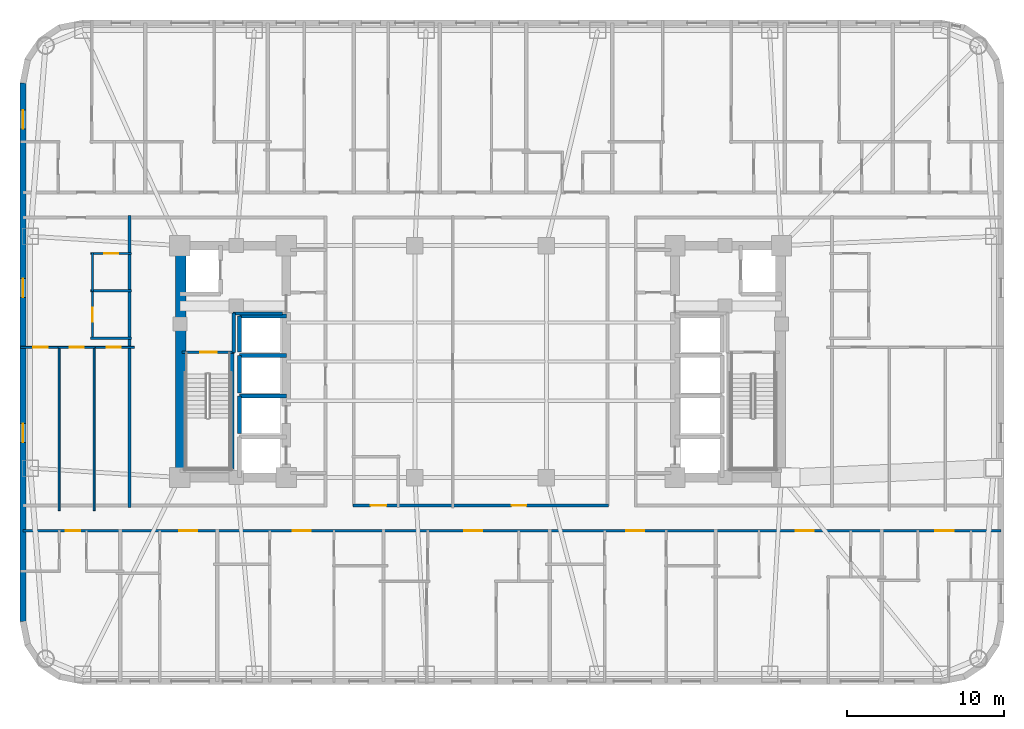
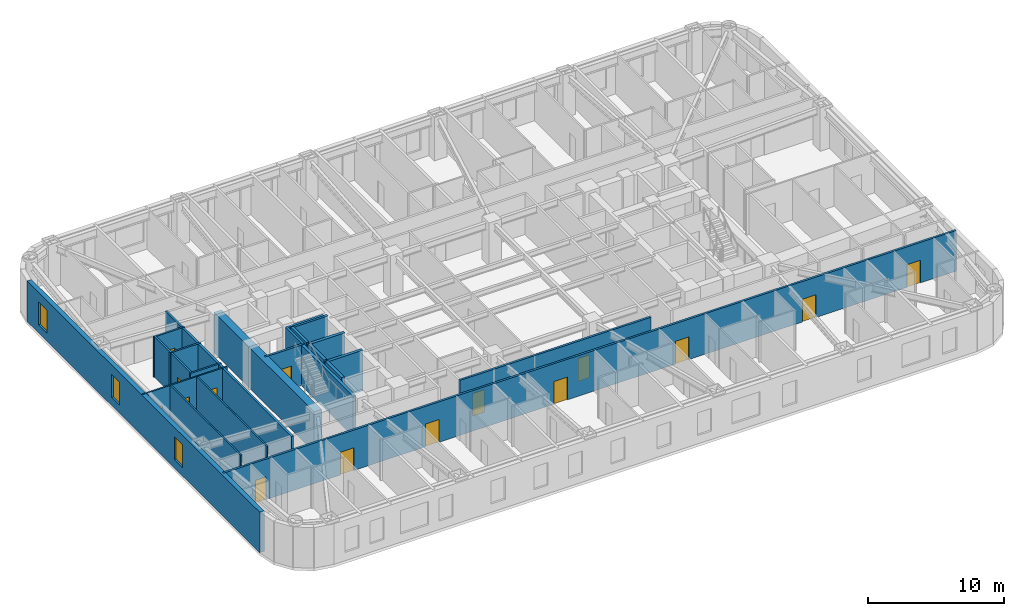
# One storey, part 4 of 12: 25 walls, 15 doors, 3 windows, 18 openings.
"""IFC4 building model written with IfcOpenShell, lengths in metres."""

from ifc_helpers import new_model, si_unit, direction, frame, frame_2d, origin, place, context, subcontext, project, spatial, rectangle, extrude, material, layer, layer_set, type_object, element, fill, save


model = new_model("IFC4")

# Units and contexts
model_context = context("Model", 3, precision=1e-05, world=origin(), true_north=direction((0.0, 1.0)))
body_context = subcontext(model_context, "Body", "Model", "MODEL_VIEW")
ifc_project = project(units=[si_unit("LENGTHUNIT", "METRE"), si_unit("AREAUNIT", "SQUARE_METRE"), si_unit("VOLUMEUNIT", "CUBIC_METRE"), si_unit("PLANEANGLEUNIT", "RADIAN"), si_unit("MASSUNIT", "GRAM", prefix="KILO")], contexts=[model_context])

# Site, building, storey
site_placement = place(None, origin())
site = spatial("IfcSite", under=ifc_project, at=site_placement, CompositionType="ELEMENT")
building_placement = place(site_placement, origin())
building = spatial("IfcBuilding", under=site, at=building_placement, Name="Voryun Gate Residences", CompositionType="ELEMENT")
storey_placement = place(building_placement, frame((0.0, 0.0, 132.60009765625)))
storey = spatial("IfcBuildingStorey", under=building, at=storey_placement, Name="L32", CompositionType="ELEMENT", Elevation=132.60009765625)

# Wall
ifc_material_1 = material(Name="Concrete C60/75", Category="concrete")
ifc_layer_1 = layer(ifc_material_1, 0.64990234375, Name="CW_CORE_650")
ifc_layer_set_1 = layer_set([ifc_layer_1], Name="Concrete C60/75")
wall_type_1 = type_object("IfcWallType", Name="CW_CORE_650", PredefinedType="SHEAR", material=ifc_layer_set_1)
wall_1_placement = place(storey_placement, frame((-19.14501953125, -7.39990234375, 0.0), z_axis=(0.0, 0.0, 1.0), x_axis=(0.0, 1.0, 0.0)))
element("IfcWall", 1, at=wall_1_placement, inside=storey, type_object=wall_type_1, Name="L32 Core shear wall CW-L32-WW", PredefinedType="SHEAR", context=body_context, shape_type="SweptSolid", body=[
    extrude(rectangle(XDim=14.7998046875, YDim=0.64990234375, at=frame_2d((7.39990234375, 0.0))), origin(), (0.0, 0.0, 1.0), 3.64990234375),
])

# Wall, opening, door
ifc_material_2 = material(Name="Gypsum acoustic fireboard")
ifc_layer_2 = layer(ifc_material_2, 0.179931640625, Name="W_CORR_RATED_180")
ifc_layer_set_2 = layer_set([ifc_layer_2], Name="Gypsum acoustic fireboard")
wall_type_2 = type_object("IfcWallType", Name="W_CORR_RATED_180", PredefinedType="PARTITIONING", material=ifc_layer_set_2)
wall_2_placement = place(storey_placement, frame((-19.06005859375, 0.60009765625, 0.0), z_axis=(0.0, 0.0, 1.0), x_axis=(1.0, 0.0, 0.0)))
wall_2 = element("IfcWall", 2, at=wall_2_placement, inside=storey, type_object=wall_type_2, Name="Partition wall WP-L32-STV-W", PredefinedType="PARTITIONING", context=body_context, shape_type="SweptSolid", body=[
    extrude(rectangle(XDim=3.360107421875, YDim=0.179931640625, at=frame_2d((1.68017578125, 0.0))), origin(), (0.0, 0.0, 1.0), 3.64990234375),
])
opening_1_placement = place(wall_2_placement, frame((1.155029296875, 0.0, 0.0)))
opening_1 = element("IfcOpeningElement", 3, at=opening_1_placement, cuts=wall_2, Name="Opening D-FD60-1", PredefinedType="OPENING", context=body_context, shape_type="SweptSolid", body=[
    extrude(rectangle(XDim=1.050048828125, YDim=2.050048828125, at=frame_2d((0.52490234375, 1.02490234375))), frame((0.0, 0.099853515625, 0.0), z_axis=(0.0, -1.0, 0.0), x_axis=(1.0, 0.0, 0.0)), (0.0, 0.0, 1.0), 0.199951171875),
])
ifc_material_3 = material(Name="Painted steel fire door", Category="steel")
door_type_1 = type_object("IfcDoorType", Name="DR_FD60_STAIR_1050", OperationType="NOTDEFINED", PredefinedType="DOOR", material=ifc_material_3)
door_1_placement = place(opening_1_placement, origin())
door_1 = element("IfcDoor", 4, at=door_1_placement, inside=storey, type_object=door_type_1, Name="Door DR-L32-ST-W", OperationType="SINGLE_SWING_LEFT", OverallHeight=2.050048828125, OverallWidth=1.050048828125, PredefinedType="DOOR", context=body_context, shape_type="SweptSolid", body=[
    extrude(rectangle(XDim=1.050048828125, YDim=2.050048828125, at=frame_2d((0.52490234375, 1.02490234375))), frame((0.0, 0.02490234375, 0.0), z_axis=(0.0, -1.0, 0.0), x_axis=(1.0, 0.0, 0.0)), (0.0, 0.0, 1.0), 0.050048828125),
])
fill(opening_1, door_1)

# Wall, openings, doors
wall_3_placement = place(storey_placement, frame((-8.14990234375, -9.18994140625, 0.0), z_axis=(0.0, 0.0, 1.0), x_axis=(1.0, 0.0, 0.0)))
wall_3 = element("IfcWall", 5, at=wall_3_placement, inside=storey, type_object=wall_type_2, Name="Partition wall WP-L32-Z1S", PredefinedType="PARTITIONING", context=body_context, shape_type="SweptSolid", body=[
    extrude(rectangle(XDim=16.2998046875, YDim=0.179931640625, at=frame_2d((8.14990234375, 0.0))), origin(), (0.0, 0.0, 1.0), 3.64990234375),
])
opening_2_placement = place(wall_3_placement, frame((1.1298828125, 0.0, 0.0)))
opening_2 = element("IfcOpeningElement", 6, at=opening_2_placement, cuts=wall_3, Name="Opening D-AWC-1", PredefinedType="OPENING", context=body_context, shape_type="SweptSolid", body=[
    extrude(rectangle(XDim=1.0, YDim=2.050048828125, at=frame_2d((0.5, 1.02490234375))), frame((0.0, 0.099853515625, 0.0), z_axis=(0.0, -1.0, 0.0), x_axis=(1.0, 0.0, 0.0)), (0.0, 0.0, 1.0), 0.199951171875),
])
opening_3_placement = place(wall_3_placement, frame((10.1201171875, 0.0, 0.0)))
opening_3 = element("IfcOpeningElement", 7, at=opening_3_placement, cuts=wall_3, Name="Opening D-INT-1", PredefinedType="OPENING", context=body_context, shape_type="SweptSolid", body=[
    extrude(rectangle(XDim=0.949951171875, YDim=2.050048828125, at=frame_2d((0.47509765625, 1.02490234375))), frame((0.0, 0.099853515625, 0.0), z_axis=(0.0, -1.0, 0.0), x_axis=(1.0, 0.0, 0.0)), (0.0, 0.0, 1.0), 0.199951171875),
])
ifc_material_4 = material(Name="Architectural oak veneer")
door_type_2 = type_object("IfcDoorType", Name="DR_ACC_WC_1000", OperationType="NOTDEFINED", PredefinedType="DOOR", material=ifc_material_4)
door_2_placement = place(opening_2_placement, origin())
door_2 = element("IfcDoor", 8, at=door_2_placement, inside=storey, type_object=door_type_2, Name="Door DR-L32-CMWC-D", OperationType="SINGLE_SWING_LEFT", OverallHeight=2.050048828125, OverallWidth=1.0, PredefinedType="DOOR", context=body_context, shape_type="SweptSolid", body=[
    extrude(rectangle(XDim=1.0, YDim=2.050048828125, at=frame_2d((0.5, 1.02490234375))), frame((0.0, 0.02490234375, 0.0), z_axis=(0.0, -1.0, 0.0), x_axis=(1.0, 0.0, 0.0)), (0.0, 0.0, 1.0), 0.050048828125),
])
fill(opening_2, door_2)
ifc_material_5 = material(Name="Architectural oak veneer")
door_type_3 = type_object("IfcDoorType", Name="DR_INT_ROOM_950", OperationType="NOTDEFINED", PredefinedType="DOOR", material=ifc_material_5)
door_3_placement = place(opening_3_placement, origin())
door_3 = element("IfcDoor", 9, at=door_3_placement, inside=storey, type_object=door_type_3, Name="Door DR-L32-CMIDZ1S", OperationType="SINGLE_SWING_RIGHT", OverallHeight=2.050048828125, OverallWidth=0.949951171875, PredefinedType="DOOR", context=body_context, shape_type="SweptSolid", body=[
    extrude(rectangle(XDim=0.949951171875, YDim=2.050048828125, at=frame_2d((0.47509765625, 1.02490234375))), frame((0.0, 0.02490234375, 0.0), z_axis=(0.0, -1.0, 0.0), x_axis=(1.0, 0.0, 0.0)), (0.0, 0.0, 1.0), 0.050048828125),
])
fill(opening_3, door_3)

wall_4_placement = place(storey_placement, frame((-29.2099609375, -10.800048828125, 0.0), z_axis=(0.0, 0.0, 1.0), x_axis=(1.0, 0.0, 0.0)))
wall_4 = element("IfcWall", 10, at=wall_4_placement, inside=storey, type_object=wall_type_2, Name="Partition wall WP-L32-SCORR", PredefinedType="PARTITIONING", context=body_context, shape_type="SweptSolid", body=[
    extrude(rectangle(XDim=62.419921875, YDim=0.179931640625, at=frame_2d((31.2099609375, 0.0))), origin(), (0.0, 0.0, 1.0), 3.64990234375),
])
opening_4_placement = place(wall_4_placement, frame((2.73974609375, 0.0, 0.0)))
opening_4 = element("IfcOpeningElement", 11, at=opening_4_placement, cuts=wall_4, Name="Opening D-INT-2", PredefinedType="OPENING", context=body_context, shape_type="SweptSolid", body=[
    extrude(rectangle(XDim=0.89990234375, YDim=2.050048828125, at=frame_2d((0.449951171875, 1.02490234375))), frame((0.0, 0.099853515625, 0.0), z_axis=(0.0, -1.0, 0.0), x_axis=(1.0, 0.0, 0.0)), (0.0, 0.0, 1.0), 0.199951171875),
])
opening_5_placement = place(wall_4_placement, frame((9.9677734375, 0.0, 0.0)))
opening_5 = element("IfcOpeningElement", 12, at=opening_5_placement, cuts=wall_4, Name="Opening D-UNIT-1", PredefinedType="OPENING", context=body_context, shape_type="SweptSolid", body=[
    extrude(rectangle(XDim=1.14990234375, YDim=2.050048828125, at=frame_2d((0.574951171875, 1.02490234375))), frame((0.0, 0.099853515625, 0.0), z_axis=(0.0, -1.0, 0.0), x_axis=(1.0, 0.0, 0.0)), (0.0, 0.0, 1.0), 0.199951171875),
])
opening_6_placement = place(wall_4_placement, frame((17.227294921875, 0.0, 0.0)))
opening_6 = element("IfcOpeningElement", 13, at=opening_6_placement, cuts=wall_4, Name="Opening D-UNIT-1", PredefinedType="OPENING", context=body_context, shape_type="SweptSolid", body=[
    extrude(rectangle(XDim=1.14990234375, YDim=2.050048828125, at=frame_2d((0.574951171875, 1.02490234375))), frame((0.0, 0.099853515625, 0.0), z_axis=(0.0, -1.0, 0.0), x_axis=(1.0, 0.0, 0.0)), (0.0, 0.0, 1.0), 0.199951171875),
])
opening_7_placement = place(wall_4_placement, frame((28.156982421875, 0.0, 0.0)))
opening_7 = element("IfcOpeningElement", 14, at=opening_7_placement, cuts=wall_4, Name="Opening D-UNIT-1", PredefinedType="OPENING", context=body_context, shape_type="SweptSolid", body=[
    extrude(rectangle(XDim=1.14990234375, YDim=2.050048828125, at=frame_2d((0.574951171875, 1.02490234375))), frame((0.0, 0.099853515625, 0.0), z_axis=(0.0, -1.0, 0.0), x_axis=(1.0, 0.0, 0.0)), (0.0, 0.0, 1.0), 0.199951171875),
])
opening_8_placement = place(wall_4_placement, frame((38.512451171875, 0.0, 0.0)))
opening_8 = element("IfcOpeningElement", 15, at=opening_8_placement, cuts=wall_4, Name="Opening D-UNIT-1", PredefinedType="OPENING", context=body_context, shape_type="SweptSolid", body=[
    extrude(rectangle(XDim=1.14990234375, YDim=2.050048828125, at=frame_2d((0.574951171875, 1.02490234375))), frame((0.0, 0.099853515625, 0.0), z_axis=(0.0, -1.0, 0.0), x_axis=(1.0, 0.0, 0.0)), (0.0, 0.0, 1.0), 0.199951171875),
])
opening_9_placement = place(wall_4_placement, frame((49.329833984375, 0.0, 0.0)))
opening_9 = element("IfcOpeningElement", 16, at=opening_9_placement, cuts=wall_4, Name="Opening D-UNIT-1", PredefinedType="OPENING", context=body_context, shape_type="SweptSolid", body=[
    extrude(rectangle(XDim=1.14990234375, YDim=2.050048828125, at=frame_2d((0.574951171875, 1.02490234375))), frame((0.0, 0.099853515625, 0.0), z_axis=(0.0, -1.0, 0.0), x_axis=(1.0, 0.0, 0.0)), (0.0, 0.0, 1.0), 0.199951171875),
])
opening_10_placement = place(wall_4_placement, frame((58.237060546875, 0.0, 0.0)))
opening_10 = element("IfcOpeningElement", 17, at=opening_10_placement, cuts=wall_4, Name="Opening D-UNIT-1", PredefinedType="OPENING", context=body_context, shape_type="SweptSolid", body=[
    extrude(rectangle(XDim=1.14990234375, YDim=2.050048828125, at=frame_2d((0.574951171875, 1.02490234375))), frame((0.0, 0.099853515625, 0.0), z_axis=(0.0, -1.0, 0.0), x_axis=(1.0, 0.0, 0.0)), (0.0, 0.0, 1.0), 0.199951171875),
])
ifc_material_6 = material(Name="Architectural oak veneer")
door_type_4 = type_object("IfcDoorType", Name="DR_INT_BATH_900", OperationType="NOTDEFINED", PredefinedType="DOOR", material=ifc_material_6)
door_4_placement = place(opening_4_placement, origin())
door_4 = element("IfcDoor", 18, at=door_4_placement, inside=storey, type_object=door_type_4, Name="Door DR-L32-SENT-1", OperationType="SINGLE_SWING_RIGHT", OverallHeight=2.050048828125, OverallWidth=0.89990234375, PredefinedType="DOOR", context=body_context, shape_type="SweptSolid", body=[
    extrude(rectangle(XDim=0.89990234375, YDim=2.050048828125, at=frame_2d((0.449951171875, 1.02490234375))), frame((0.0, 0.02490234375, 0.0), z_axis=(0.0, -1.0, 0.0), x_axis=(1.0, 0.0, 0.0)), (0.0, 0.0, 1.0), 0.050048828125),
])
fill(opening_4, door_4)
ifc_material_7 = material(Name="Armoured timber-clad fire door", Category="wood")
door_type_5 = type_object("IfcDoorType", Name="DR_UNIT_ENTRY_1150", OperationType="NOTDEFINED", PredefinedType="DOOR", material=ifc_material_7)
door_5_placement = place(opening_5_placement, origin())
door_5 = element("IfcDoor", 19, at=door_5_placement, inside=storey, type_object=door_type_5, Name="Door DR-L32-SENT-2", OperationType="SINGLE_SWING_LEFT", OverallHeight=2.050048828125, OverallWidth=1.14990234375, PredefinedType="DOOR", context=body_context, shape_type="SweptSolid", body=[
    extrude(rectangle(XDim=1.14990234375, YDim=2.050048828125, at=frame_2d((0.574951171875, 1.02490234375))), frame((0.0, 0.02490234375, 0.0), z_axis=(0.0, -1.0, 0.0), x_axis=(1.0, 0.0, 0.0)), (0.0, 0.0, 1.0), 0.050048828125),
])
fill(opening_5, door_5)
door_6_placement = place(opening_6_placement, origin())
door_6 = element("IfcDoor", 20, at=door_6_placement, inside=storey, type_object=door_type_5, Name="Door DR-L32-SENT-3", OperationType="SINGLE_SWING_RIGHT", OverallHeight=2.050048828125, OverallWidth=1.14990234375, PredefinedType="DOOR", context=body_context, shape_type="SweptSolid", body=[
    extrude(rectangle(XDim=1.14990234375, YDim=2.050048828125, at=frame_2d((0.574951171875, 1.02490234375))), frame((0.0, 0.02490234375, 0.0), z_axis=(0.0, -1.0, 0.0), x_axis=(1.0, 0.0, 0.0)), (0.0, 0.0, 1.0), 0.050048828125),
])
fill(opening_6, door_6)
door_7_placement = place(opening_7_placement, origin())
door_7 = element("IfcDoor", 21, at=door_7_placement, inside=storey, type_object=door_type_5, Name="Door DR-L32-SENT-4", OperationType="SINGLE_SWING_LEFT", OverallHeight=2.050048828125, OverallWidth=1.14990234375, PredefinedType="DOOR", context=body_context, shape_type="SweptSolid", body=[
    extrude(rectangle(XDim=1.14990234375, YDim=2.050048828125, at=frame_2d((0.574951171875, 1.02490234375))), frame((0.0, 0.02490234375, 0.0), z_axis=(0.0, -1.0, 0.0), x_axis=(1.0, 0.0, 0.0)), (0.0, 0.0, 1.0), 0.050048828125),
])
fill(opening_7, door_7)
door_8_placement = place(opening_8_placement, origin())
door_8 = element("IfcDoor", 22, at=door_8_placement, inside=storey, type_object=door_type_5, Name="Door DR-L32-SENT-5", OperationType="SINGLE_SWING_RIGHT", OverallHeight=2.050048828125, OverallWidth=1.14990234375, PredefinedType="DOOR", context=body_context, shape_type="SweptSolid", body=[
    extrude(rectangle(XDim=1.14990234375, YDim=2.050048828125, at=frame_2d((0.574951171875, 1.02490234375))), frame((0.0, 0.02490234375, 0.0), z_axis=(0.0, -1.0, 0.0), x_axis=(1.0, 0.0, 0.0)), (0.0, 0.0, 1.0), 0.050048828125),
])
fill(opening_8, door_8)
door_9_placement = place(opening_9_placement, origin())
door_9 = element("IfcDoor", 23, at=door_9_placement, inside=storey, type_object=door_type_5, Name="Door DR-L32-SENT-6", OperationType="SINGLE_SWING_LEFT", OverallHeight=2.050048828125, OverallWidth=1.14990234375, PredefinedType="DOOR", context=body_context, shape_type="SweptSolid", body=[
    extrude(rectangle(XDim=1.14990234375, YDim=2.050048828125, at=frame_2d((0.574951171875, 1.02490234375))), frame((0.0, 0.02490234375, 0.0), z_axis=(0.0, -1.0, 0.0), x_axis=(1.0, 0.0, 0.0)), (0.0, 0.0, 1.0), 0.050048828125),
])
fill(opening_9, door_9)
door_10_placement = place(opening_10_placement, origin())
door_10 = element("IfcDoor", 24, at=door_10_placement, inside=storey, type_object=door_type_5, Name="Door DR-L32-SENT-7", OperationType="SINGLE_SWING_RIGHT", OverallHeight=2.050048828125, OverallWidth=1.14990234375, PredefinedType="DOOR", context=body_context, shape_type="SweptSolid", body=[
    extrude(rectangle(XDim=1.14990234375, YDim=2.050048828125, at=frame_2d((0.574951171875, 1.02490234375))), frame((0.0, 0.02490234375, 0.0), z_axis=(0.0, -1.0, 0.0), x_axis=(1.0, 0.0, 0.0)), (0.0, 0.0, 1.0), 0.050048828125),
])
fill(opening_10, door_10)

# Wall
wall_5_placement = place(storey_placement, frame((-22.419921875, -9.31005859375, 0.0), z_axis=(0.0, 0.0, 1.0), x_axis=(0.0, 1.0, 0.0)))
element("IfcWall", 25, at=wall_5_placement, inside=storey, type_object=wall_type_2, Name="Partition wall WP-L32-WCOR", PredefinedType="PARTITIONING", context=body_context, shape_type="SweptSolid", body=[
    extrude(rectangle(XDim=18.6201171875, YDim=0.179931640625, at=frame_2d((9.31005859375, 0.0))), origin(), (0.0, 0.0, 1.0), 3.64990234375),
])

# Wall, openings, windows
ifc_material_8 = material(Name="Granite masonry", Category="masonry")
ifc_layer_3 = layer(ifc_material_8, 0.3798828125, Name="W_EXT_GRANITE_380")
ifc_layer_set_3 = layer_set([ifc_layer_3], Name="Granite masonry")
wall_type_3 = type_object("IfcWallType", Name="W_EXT_GRANITE_380", PredefinedType="ELEMENTEDWALL", material=ifc_layer_set_3)
wall_6_placement = place(storey_placement, frame((-29.2099609375, -16.581298828125, 0.0), z_axis=(0.0, 0.0, 1.0), x_axis=(0.0, 1.0, 0.0)))
wall_6 = element("IfcWall", 26, at=wall_6_placement, inside=storey, type_object=wall_type_3, Name="Exterior wall WEXT-L32-06", PredefinedType="ELEMENTEDWALL", context=body_context, shape_type="SweptSolid", body=[
    extrude(rectangle(XDim=34.362548828125, YDim=0.3798828125, at=frame_2d((17.18115234375, 0.0))), origin(), (0.0, 0.0, 1.0), 3.64990234375),
])
opening_11_placement = place(wall_6_placement, frame((31.43701171875, 0.0, 0.75)))
opening_11 = element("IfcOpeningElement", 27, at=opening_11_placement, cuts=wall_6, Name="Opening WN6", PredefinedType="OPENING", context=body_context, shape_type="SweptSolid", body=[
    extrude(rectangle(XDim=1.199951171875, YDim=2.050048828125, at=frame_2d((0.60009765625, 1.02490234375))), frame((0.0, 0.199951171875, 0.0), z_axis=(0.0, -1.0, 0.0), x_axis=(1.0, 0.0, 0.0)), (0.0, 0.0, 1.0), 0.39990234375),
])
opening_12_placement = place(wall_6_placement, frame((20.67626953125, 0.0, 0.75)))
opening_12 = element("IfcOpeningElement", 28, at=opening_12_placement, cuts=wall_6, Name="Opening WN6", PredefinedType="OPENING", context=body_context, shape_type="SweptSolid", body=[
    extrude(rectangle(XDim=1.199951171875, YDim=2.050048828125, at=frame_2d((0.60009765625, 1.02490234375))), frame((0.0, 0.199951171875, 0.0), z_axis=(0.0, -1.0, 0.0), x_axis=(1.0, 0.0, 0.0)), (0.0, 0.0, 1.0), 0.39990234375),
])
opening_13_placement = place(wall_6_placement, frame((11.42626953125, 0.0, 0.75)))
opening_13 = element("IfcOpeningElement", 29, at=opening_13_placement, cuts=wall_6, Name="Opening WN6", PredefinedType="OPENING", context=body_context, shape_type="SweptSolid", body=[
    extrude(rectangle(XDim=1.199951171875, YDim=2.050048828125, at=frame_2d((0.60009765625, 1.02490234375))), frame((0.0, 0.199951171875, 0.0), z_axis=(0.0, -1.0, 0.0), x_axis=(1.0, 0.0, 0.0)), (0.0, 0.0, 1.0), 0.39990234375),
])
ifc_material_9 = material(Name="Laminated low-E glass", Category="glass")
window_type = type_object("IfcWindowType", Name="WN_POD_SLOT_1200", PartitioningType="SINGLE_PANEL", PredefinedType="WINDOW", material=ifc_material_9)
window_1_placement = place(opening_11_placement, origin())
window_1 = element("IfcWindow", 30, at=window_1_placement, inside=storey, type_object=window_type, Name="Window WN-L32-DWFIX-01", OverallHeight=2.050048828125, OverallWidth=1.199951171875, PartitioningType="SINGLE_PANEL", PredefinedType="WINDOW", context=body_context, shape_type="SweptSolid", body=[
    extrude(rectangle(XDim=1.199951171875, YDim=2.050048828125, at=frame_2d((0.60009765625, 1.02490234375))), frame((0.0, 0.030029296875, 0.0), z_axis=(0.0, -1.0, 0.0), x_axis=(1.0, 0.0, 0.0)), (0.0, 0.0, 1.0), 0.06005859375),
])
fill(opening_11, window_1)
window_2_placement = place(opening_12_placement, origin())
window_2 = element("IfcWindow", 31, at=window_2_placement, inside=storey, type_object=window_type, Name="Window WN-L32-DWFIX-30", OverallHeight=2.050048828125, OverallWidth=1.199951171875, PartitioningType="SINGLE_PANEL", PredefinedType="WINDOW", context=body_context, shape_type="SweptSolid", body=[
    extrude(rectangle(XDim=1.199951171875, YDim=2.050048828125, at=frame_2d((0.60009765625, 1.02490234375))), frame((0.0, 0.030029296875, 0.0), z_axis=(0.0, -1.0, 0.0), x_axis=(1.0, 0.0, 0.0)), (0.0, 0.0, 1.0), 0.06005859375),
])
fill(opening_12, window_2)
window_3_placement = place(opening_13_placement, origin())
window_3 = element("IfcWindow", 32, at=window_3_placement, inside=storey, type_object=window_type, Name="Window WN-L32-DWFIX-31", OverallHeight=2.050048828125, OverallWidth=1.199951171875, PartitioningType="SINGLE_PANEL", PredefinedType="WINDOW", context=body_context, shape_type="SweptSolid", body=[
    extrude(rectangle(XDim=1.199951171875, YDim=2.050048828125, at=frame_2d((0.60009765625, 1.02490234375))), frame((0.0, 0.030029296875, 0.0), z_axis=(0.0, -1.0, 0.0), x_axis=(1.0, 0.0, 0.0)), (0.0, 0.0, 1.0), 0.06005859375),
])
fill(opening_13, window_3)

# Walls
ifc_material_10 = material(Name="Concrete C40/50", Category="concrete")
ifc_layer_4 = layer(ifc_material_10, 0.199951171875, Name="W_FF_LOBBY_200")
ifc_layer_set_4 = layer_set([ifc_layer_4], Name="Concrete C40/50")
wall_type_4 = type_object("IfcWallType", Name="W_FF_LOBBY_200", PredefinedType="PARTITIONING", material=ifc_layer_set_4)
wall_7_placement = place(storey_placement, frame((-15.760009765625, 0.580078125, 0.0), z_axis=(0.0, 0.0, 1.0), x_axis=(0.0, 1.0, 0.0)))
element("IfcWall", 33, at=wall_7_placement, inside=storey, type_object=wall_type_4, Name="Partition wall WP-L32-FFP0-W", PredefinedType="PARTITIONING", context=body_context, shape_type="SweptSolid", body=[
    extrude(rectangle(XDim=2.52001953125, YDim=0.199951171875, at=frame_2d((1.260009765625, 0.0))), origin(), (0.0, 0.0, 1.0), 3.64990234375),
])
wall_8_placement = place(storey_placement, frame((-15.820068359375, 3.06005859375, 0.0), z_axis=(0.0, 0.0, 1.0), x_axis=(1.0, 0.0, 0.0)))
element("IfcWall", 34, at=wall_8_placement, inside=storey, type_object=wall_type_4, Name="Partition wall WP-L32-FFPS-W", PredefinedType="PARTITIONING", context=body_context, shape_type="SweptSolid", body=[
    extrude(rectangle(XDim=3.16015625, YDim=0.199951171875, at=frame_2d((1.580078125, 0.0))), origin(), (0.0, 0.0, 1.0), 3.64990234375),
])
ifc_material_11 = material(Name="Concrete C50/60", Category="concrete")
ifc_layer_5 = layer(ifc_material_11, 0.25, Name="W_SHAFT_RC250")
ifc_layer_set_5 = layer_set([ifc_layer_5], Name="Concrete C50/60")
wall_type_5 = type_object("IfcWallType", Name="W_SHAFT_RC250", PredefinedType="SOLIDWALL", material=ifc_layer_set_5)
wall_9_placement = place(storey_placement, frame((-15.860107421875, -7.0849609375, 0.0), z_axis=(0.0, 0.0, 1.0), x_axis=(0.0, 1.0, 0.0)))
element("IfcWall", 35, at=wall_9_placement, inside=storey, type_object=wall_type_5, Name="L32 Stair shaft structural wall W-STR", PredefinedType="SOLIDWALL", context=body_context, shape_type="SweptSolid", body=[
    extrude(rectangle(XDim=7.68505859375, YDim=0.25, at=frame_2d((3.842529296875, 0.0))), origin(), (0.0, 0.0, 1.0), 3.64990234375),
])
wall_10_placement = place(storey_placement, frame((-12.39990234375, -2.199951171875, 0.0), z_axis=(0.0, 0.0, 1.0), x_axis=(-1.0, 0.0, 0.0)))
element("IfcWall", 36, at=wall_10_placement, inside=storey, type_object=wall_type_5, Name="Lift shaft wall WSH-L32-EL-P2-N", PredefinedType="SOLIDWALL", context=body_context, shape_type="SweptSolid", body=[
    extrude(rectangle(XDim=3.0, YDim=0.25, at=frame_2d((1.5, 0.0))), origin(), (0.0, 0.0, 1.0), 3.64990234375),
])
wall_11_placement = place(storey_placement, frame((-15.39990234375, -2.199951171875, 0.0), z_axis=(0.0, 0.0, 1.0), x_axis=(0.0, -1.0, 0.0)))
element("IfcWall", 37, at=wall_11_placement, inside=storey, type_object=wall_type_5, Name="Lift shaft wall WSH-L32-EL-P2-W", PredefinedType="SOLIDWALL", context=body_context, shape_type="SweptSolid", body=[
    extrude(rectangle(XDim=2.400146484375, YDim=0.25, at=frame_2d((1.2001953125, 0.0))), origin(), (0.0, 0.0, 1.0), 3.64990234375),
])
wall_12_placement = place(storey_placement, frame((-12.39990234375, 0.39990234375, 0.0), z_axis=(0.0, 0.0, 1.0), x_axis=(-1.0, 0.0, 0.0)))
element("IfcWall", 38, at=wall_12_placement, inside=storey, type_object=wall_type_5, Name="Lift shaft wall WSH-L32-EL-P4-N", PredefinedType="SOLIDWALL", context=body_context, shape_type="SweptSolid", body=[
    extrude(rectangle(XDim=3.0, YDim=0.25, at=frame_2d((1.5, 0.0))), origin(), (0.0, 0.0, 1.0), 3.64990234375),
])
wall_13_placement = place(storey_placement, frame((-15.39990234375, 0.39990234375, 0.0), z_axis=(0.0, 0.0, 1.0), x_axis=(0.0, -1.0, 0.0)))
element("IfcWall", 39, at=wall_13_placement, inside=storey, type_object=wall_type_5, Name="Lift shaft wall WSH-L32-EL-P4-W", PredefinedType="SOLIDWALL", context=body_context, shape_type="SweptSolid", body=[
    extrude(rectangle(XDim=2.39990234375, YDim=0.25, at=frame_2d((1.199951171875, 0.0))), origin(), (0.0, 0.0, 1.0), 3.64990234375),
])
wall_14_placement = place(storey_placement, frame((-12.39990234375, 2.89990234375, 0.0), z_axis=(0.0, 0.0, 1.0), x_axis=(-1.0, 0.0, 0.0)))
element("IfcWall", 40, at=wall_14_placement, inside=storey, type_object=wall_type_5, Name="Lift shaft wall WSH-L32-EL-P7-N", PredefinedType="SOLIDWALL", context=body_context, shape_type="SweptSolid", body=[
    extrude(rectangle(XDim=3.0, YDim=0.25, at=frame_2d((1.5, 0.0))), origin(), (0.0, 0.0, 1.0), 3.64990234375),
])
wall_15_placement = place(storey_placement, frame((-15.39990234375, 2.89990234375, 0.0), z_axis=(0.0, 0.0, 1.0), x_axis=(0.0, -1.0, 0.0)))
element("IfcWall", 41, at=wall_15_placement, inside=storey, type_object=wall_type_5, Name="Lift shaft wall WSH-L32-EL-P7-W", PredefinedType="SOLIDWALL", context=body_context, shape_type="SweptSolid", body=[
    extrude(rectangle(XDim=2.2998046875, YDim=0.25, at=frame_2d((1.14990234375, 0.0))), origin(), (0.0, 0.0, 1.0), 3.64990234375),
])

# Wall, opening, door
ifc_material_12 = material(Name="Gypsum acoustic partition")
ifc_layer_6 = layer(ifc_material_12, 0.125, Name="W_UNIT_PART_125")
ifc_layer_set_6 = layer_set([ifc_layer_6], Name="Gypsum acoustic partition")
wall_type_6 = type_object("IfcWallType", Name="W_UNIT_PART_125", PredefinedType="PARTITIONING", material=ifc_layer_set_6)
wall_16_placement = place(storey_placement, frame((-29.360107421875, 0.909912109375, 0.0), z_axis=(0.0, 0.0, 1.0), x_axis=(1.0, 0.0, 0.0)))
wall_16 = element("IfcWall", 42, at=wall_16_placement, inside=storey, type_object=wall_type_6, Name="Partition wall WP-L32-W1-HZMB1", PredefinedType="PARTITIONING", context=body_context, shape_type="SweptSolid", body=[
    extrude(rectangle(XDim=2.5166015625, YDim=0.125, at=frame_2d((1.25830078125, 0.0))), origin(), (0.0, 0.0, 1.0), 3.64990234375),
])
opening_14_placement = place(wall_16_placement, frame((0.81689453125, 0.0, 0.0)))
opening_14 = element("IfcOpeningElement", 43, at=opening_14_placement, cuts=wall_16, Name="Opening D-INT-2", PredefinedType="OPENING", context=body_context, shape_type="SweptSolid", body=[
    extrude(rectangle(XDim=0.89990234375, YDim=2.050048828125, at=frame_2d((0.449951171875, 1.02490234375))), frame((0.0, 0.072509765625, 0.0), z_axis=(0.0, -1.0, 0.0), x_axis=(1.0, 0.0, 0.0)), (0.0, 0.0, 1.0), 0.14501953125),
])
door_11_placement = place(opening_14_placement, origin())
door_11 = element("IfcDoor", 44, at=door_11_placement, inside=storey, type_object=door_type_4, Name="Door DR-L32-W1-DMB", OperationType="SINGLE_SWING_LEFT", OverallHeight=2.050048828125, OverallWidth=0.89990234375, PredefinedType="DOOR", context=body_context, shape_type="SweptSolid", body=[
    extrude(rectangle(XDim=0.89990234375, YDim=2.050048828125, at=frame_2d((0.449951171875, 1.02490234375))), frame((0.0, 0.02490234375, 0.0), z_axis=(0.0, -1.0, 0.0), x_axis=(1.0, 0.0, 0.0)), (0.0, 0.0, 1.0), 0.050048828125),
])
fill(opening_14, door_11)

wall_17_placement = place(storey_placement, frame((-26.968505859375, 0.909912109375, 0.0), z_axis=(0.0, 0.0, 1.0), x_axis=(1.0, 0.0, 0.0)))
wall_17 = element("IfcWall", 45, at=wall_17_placement, inside=storey, type_object=wall_type_6, Name="Partition wall WP-L32-W1-HZMB2", PredefinedType="PARTITIONING", context=body_context, shape_type="SweptSolid", body=[
    extrude(rectangle(XDim=2.367919921875, YDim=0.125, at=frame_2d((1.18408203125, 0.0))), origin(), (0.0, 0.0, 1.0), 3.64990234375),
])
opening_15_placement = place(wall_17_placement, frame((0.73388671875, 0.0, 0.0)))
opening_15 = element("IfcOpeningElement", 46, at=opening_15_placement, cuts=wall_17, Name="Opening D-INT-2", PredefinedType="OPENING", context=body_context, shape_type="SweptSolid", body=[
    extrude(rectangle(XDim=0.89990234375, YDim=2.050048828125, at=frame_2d((0.449951171875, 1.02490234375))), frame((0.0, 0.072509765625, 0.0), z_axis=(0.0, -1.0, 0.0), x_axis=(1.0, 0.0, 0.0)), (0.0, 0.0, 1.0), 0.14501953125),
])
door_12_placement = place(opening_15_placement, origin())
door_12 = element("IfcDoor", 47, at=door_12_placement, inside=storey, type_object=door_type_4, Name="Door DR-L32-W1-DBD2", OperationType="SINGLE_SWING_RIGHT", OverallHeight=2.050048828125, OverallWidth=0.89990234375, PredefinedType="DOOR", context=body_context, shape_type="SweptSolid", body=[
    extrude(rectangle(XDim=0.89990234375, YDim=2.050048828125, at=frame_2d((0.449951171875, 1.02490234375))), frame((0.0, 0.02490234375, 0.0), z_axis=(0.0, -1.0, 0.0), x_axis=(1.0, 0.0, 0.0)), (0.0, 0.0, 1.0), 0.050048828125),
])
fill(opening_15, door_12)

wall_18_placement = place(storey_placement, frame((-24.7255859375, 0.909912109375, 0.0), z_axis=(0.0, 0.0, 1.0), x_axis=(1.0, 0.0, 0.0)))
wall_18 = element("IfcWall", 48, at=wall_18_placement, inside=storey, type_object=wall_type_6, Name="Partition wall WP-L32-W1-HZMB3", PredefinedType="PARTITIONING", context=body_context, shape_type="SweptSolid", body=[
    extrude(rectangle(XDim=2.62548828125, YDim=0.125, at=frame_2d((1.312744140625, 0.0))), origin(), (0.0, 0.0, 1.0), 3.64990234375),
])
opening_16_placement = place(wall_18_placement, frame((0.85400390625, 0.0, 0.0)))
opening_16 = element("IfcOpeningElement", 49, at=opening_16_placement, cuts=wall_18, Name="Opening D-INT-2", PredefinedType="OPENING", context=body_context, shape_type="SweptSolid", body=[
    extrude(rectangle(XDim=0.89990234375, YDim=2.050048828125, at=frame_2d((0.449951171875, 1.02490234375))), frame((0.0, 0.072509765625, 0.0), z_axis=(0.0, -1.0, 0.0), x_axis=(1.0, 0.0, 0.0)), (0.0, 0.0, 1.0), 0.14501953125),
])
door_13_placement = place(opening_16_placement, origin())
door_13 = element("IfcDoor", 50, at=door_13_placement, inside=storey, type_object=door_type_4, Name="Door DR-L32-W1-DBD3", OperationType="SINGLE_SWING_LEFT", OverallHeight=2.050048828125, OverallWidth=0.89990234375, PredefinedType="DOOR", context=body_context, shape_type="SweptSolid", body=[
    extrude(rectangle(XDim=0.89990234375, YDim=2.050048828125, at=frame_2d((0.449951171875, 1.02490234375))), frame((0.0, 0.02490234375, 0.0), z_axis=(0.0, -1.0, 0.0), x_axis=(1.0, 0.0, 0.0)), (0.0, 0.0, 1.0), 0.050048828125),
])
fill(opening_16, door_13)

# Walls
for number, where, z_axis, x_axis, name in (
    (51, (-24.6630859375, -9.510009765625, 0.0), (0.0, 0.0, 1.0), (0.0, 1.0, 0.0), "Partition wall WP-L32-W1-VMB2"),
    (52, (-26.906005859375, -9.510009765625, 0.0), (0.0, 0.0, 1.0), (0.0, 1.0, 0.0), "Partition wall WP-L32-W1-VMB"),
):
    element("IfcWall", number, at=place(storey_placement, frame(where, z_axis=z_axis, x_axis=x_axis)), inside=storey, type_object=wall_type_6, Name=name, PredefinedType="PARTITIONING", context=body_context, shape_type="SweptSolid", body=[
        extrude(rectangle(XDim=10.47998046875, YDim=0.125, at=frame_2d((5.239990234375, 0.0))), origin(), (0.0, 0.0, 1.0), 3.64990234375),
    ])

# Wall, opening, door
ifc_material_13 = material(Name="Gypsum moisture-resistant partition")
ifc_layer_7 = layer(ifc_material_13, 0.14990234375, Name="W_WET_PLUMB_150")
ifc_layer_set_7 = layer_set([ifc_layer_7], Name="Gypsum moisture-resistant partition")
wall_type_7 = type_object("IfcWallType", Name="W_WET_PLUMB_150", PredefinedType="PLUMBINGWALL", material=ifc_layer_set_7)
wall_19_placement = place(storey_placement, frame((-24.889892578125, 6.89990234375, 0.0), z_axis=(0.0, 0.0, 1.0), x_axis=(1.0, 0.0, 0.0)))
wall_19 = element("IfcWall", 53, at=wall_19_placement, inside=storey, type_object=wall_type_7, Name="Partition wall WP-L32-W1-IBT", PredefinedType="PLUMBINGWALL", context=body_context, shape_type="SweptSolid", body=[
    extrude(rectangle(XDim=2.619873046875, YDim=0.14990234375, at=frame_2d((1.31005859375, 0.0))), origin(), (0.0, 0.0, 1.0), 3.64990234375),
])
opening_17_placement = place(wall_19_placement, frame((0.860107421875, 0.0, 0.0)))
opening_17 = element("IfcOpeningElement", 54, at=opening_17_placement, cuts=wall_19, Name="Opening D-INT-2", PredefinedType="OPENING", context=body_context, shape_type="SweptSolid", body=[
    extrude(rectangle(XDim=0.89990234375, YDim=2.050048828125, at=frame_2d((0.449951171875, 1.02490234375))), frame((0.0, 0.0849609375, 0.0), z_axis=(0.0, -1.0, 0.0), x_axis=(1.0, 0.0, 0.0)), (0.0, 0.0, 1.0), 0.169921875),
])
door_14_placement = place(opening_17_placement, origin())
door_14 = element("IfcDoor", 55, at=door_14_placement, inside=storey, type_object=door_type_4, Name="Door DR-L32-W1-DK", OperationType="SINGLE_SWING_LEFT", OverallHeight=2.050048828125, OverallWidth=0.89990234375, PredefinedType="DOOR", context=body_context, shape_type="SweptSolid", body=[
    extrude(rectangle(XDim=0.89990234375, YDim=2.050048828125, at=frame_2d((0.449951171875, 1.02490234375))), frame((0.0, 0.02490234375, 0.0), z_axis=(0.0, -1.0, 0.0), x_axis=(1.0, 0.0, 0.0)), (0.0, 0.0, 1.0), 0.050048828125),
])
fill(opening_17, door_14)

# Walls
for number, where, z_axis, x_axis, name in (
    (56, (-24.889892578125, 4.52001953125, 0.0), (0.0, 0.0, 1.0), (1.0, 0.0, 0.0), "Partition wall WP-L32-W1-IKB"),
    (57, (-24.889892578125, 1.5, 0.0), (0.0, 0.0, 1.0), (1.0, 0.0, 0.0), "Partition wall WP-L32-W1-IBB"),
):
    element("IfcWall", number, at=place(storey_placement, frame(where, z_axis=z_axis, x_axis=x_axis)), inside=storey, type_object=wall_type_7, Name=name, PredefinedType="PLUMBINGWALL", context=body_context, shape_type="SweptSolid", body=[
        extrude(rectangle(XDim=2.619873046875, YDim=0.14990234375, at=frame_2d((1.31005859375, 0.0))), origin(), (0.0, 0.0, 1.0), 3.64990234375),
    ])

# Wall, opening, door
wall_20_placement = place(storey_placement, frame((-24.77001953125, 1.43994140625, 0.0), z_axis=(0.0, 0.0, 1.0), x_axis=(0.0, 1.0, 0.0)))
wall_20 = element("IfcWall", 58, at=wall_20_placement, inside=storey, type_object=wall_type_7, Name="Partition wall WP-L32-W1-VTSK1", PredefinedType="PLUMBINGWALL", context=body_context, shape_type="SweptSolid", body=[
    extrude(rectangle(XDim=3.1201171875, YDim=0.14990234375, at=frame_2d((1.56005859375, 0.0))), origin(), (0.0, 0.0, 1.0), 3.64990234375),
])
opening_18_placement = place(wall_20_placement, frame((1.110107421875, 0.0, 0.0)))
opening_18 = element("IfcOpeningElement", 59, at=opening_18_placement, cuts=wall_20, Name="Opening D-INT-2", PredefinedType="OPENING", context=body_context, shape_type="SweptSolid", body=[
    extrude(rectangle(XDim=0.89990234375, YDim=2.050048828125, at=frame_2d((0.449951171875, 1.02490234375))), frame((0.0, 0.0849609375, 0.0), z_axis=(0.0, -1.0, 0.0), x_axis=(1.0, 0.0, 0.0)), (0.0, 0.0, 1.0), 0.169921875),
])
door_15_placement = place(opening_18_placement, origin())
door_15 = element("IfcDoor", 60, at=door_15_placement, inside=storey, type_object=door_type_4, Name="Door DR-L32-W1-DB", OperationType="SINGLE_SWING_RIGHT", OverallHeight=2.050048828125, OverallWidth=0.89990234375, PredefinedType="DOOR", context=body_context, shape_type="SweptSolid", body=[
    extrude(rectangle(XDim=0.89990234375, YDim=2.050048828125, at=frame_2d((0.449951171875, 1.02490234375))), frame((0.0, 0.02490234375, 0.0), z_axis=(0.0, -1.0, 0.0), x_axis=(1.0, 0.0, 0.0)), (0.0, 0.0, 1.0), 0.050048828125),
])
fill(opening_18, door_15)

# Wall
wall_21_placement = place(storey_placement, frame((-24.77001953125, 4.47998046875, 0.0), z_axis=(0.0, 0.0, 1.0), x_axis=(0.0, 1.0, 0.0)))
element("IfcWall", 61, at=wall_21_placement, inside=storey, type_object=wall_type_7, Name="Partition wall WP-L32-W1-VTSK2", PredefinedType="PLUMBINGWALL", context=body_context, shape_type="SweptSolid", body=[
    extrude(rectangle(XDim=2.47998046875, YDim=0.14990234375, at=frame_2d((1.239990234375, 0.0))), origin(), (0.0, 0.0, 1.0), 3.64990234375),
])

save(model, "model.ifc")
